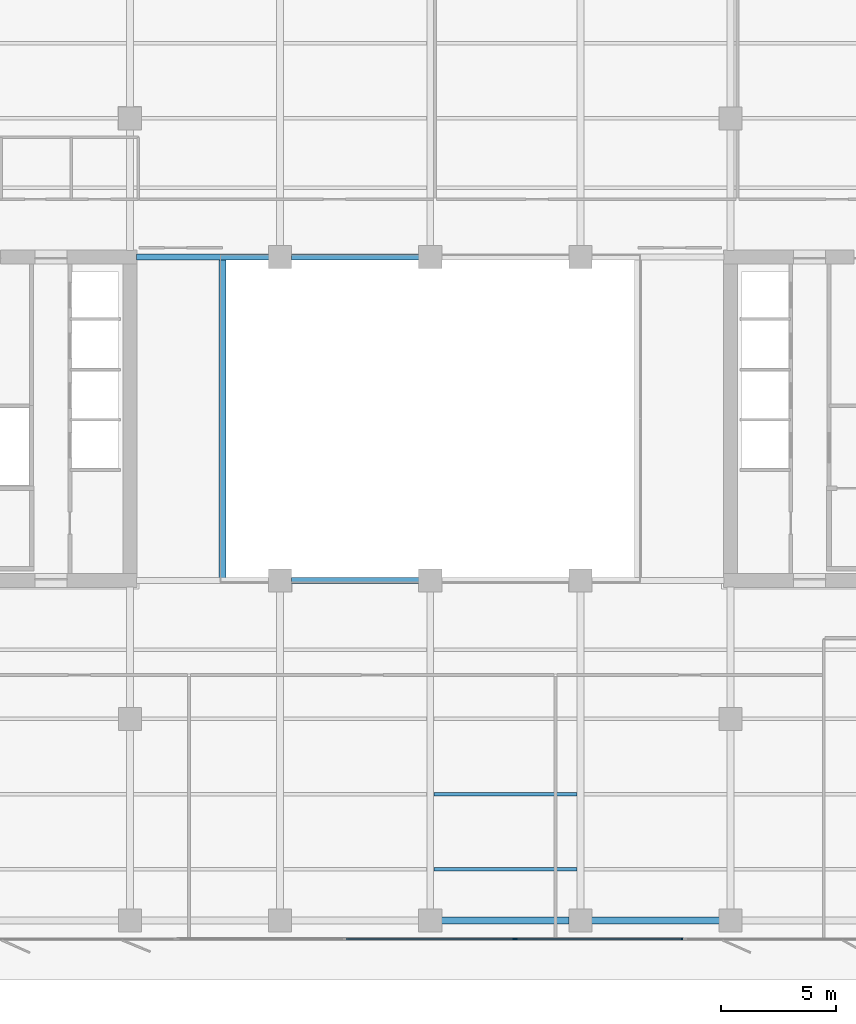
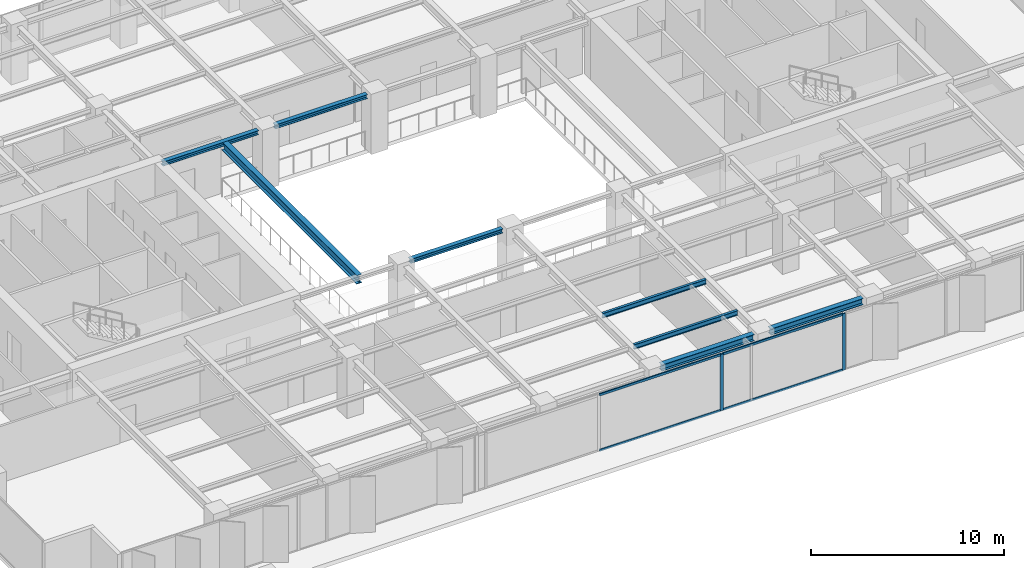
# One storey, part 5 of 22: 8 beams, 6 members, 1 element without a shape of its own.
"""IFC4 building model written with IfcOpenShell, lengths in metres."""

from ifc_helpers import new_model, si_unit, direction, frame, origin, origin_2d, place, context, subcontext, project, spatial, rectangle, i_section, extrude, material, layer, layer_set, material_profile, profile_set, type_object, element, aggregate, save


model = new_model("IFC4")

# Units and contexts
model_context = context("Model", 3, precision=1e-05, world=origin(), true_north=direction((0.0, 1.0)))
body_context = subcontext(model_context, "Body", "Model", "MODEL_VIEW")
ifc_project = project(units=[si_unit("LENGTHUNIT", "METRE"), si_unit("AREAUNIT", "SQUARE_METRE"), si_unit("VOLUMEUNIT", "CUBIC_METRE"), si_unit("PLANEANGLEUNIT", "RADIAN"), si_unit("MASSUNIT", "GRAM", prefix="KILO")], contexts=[model_context])

# Site, building, storey
site_placement = place(None, origin())
site = spatial("IfcSite", under=ifc_project, at=site_placement, CompositionType="ELEMENT")
building_placement = place(site_placement, origin())
building = spatial("IfcBuilding", under=site, at=building_placement, Name="Putna Gate Headquarters", CompositionType="ELEMENT")
storey_placement = place(building_placement, frame((0.0, 0.0, 144.199951171875)))
storey = spatial("IfcBuildingStorey", under=building, at=storey_placement, Name="L35", CompositionType="ELEMENT", Elevation=144.199951171875)

# Beams
ifc_material_1 = material(Name="Steel S355J2", Category="steel")
ifc_material_profile_1 = material_profile(ifc_material_1, i_section(OverallWidth=0.260009765625, OverallDepth=0.260009765625, WebThickness=0.010009765625, FlangeThickness=0.017578125, at=origin_2d()), Name="Steel S355J2")
ifc_profile_set_1 = profile_set([ifc_material_profile_1], Name="Steel S355J2")
beam_type_1 = type_object("IfcBeamType", Name="BM-ATRIUM-HEB260", PredefinedType="BEAM", material=ifc_profile_set_1)
beam_1_placement = place(storey_placement, frame((32.988037109375, 19.0, 3.442138671875), z_axis=(1.0, 0.0, 0.0), x_axis=(0.0, 1.0, 0.0)))
element("IfcBeam", 1, at=beam_1_placement, inside=storey, type_object=beam_type_1, Name="L35 Atrium Edge Beam AS2", PredefinedType="BEAM", context=body_context, shape_type="SweptSolid", body=[
    extrude(i_section(OverallWidth=0.260009765625, OverallDepth=0.260009765625, WebThickness=0.010009765625, FlangeThickness=0.017578125, at=origin_2d()), origin(), (0.0, 0.0, 1.0), 5.52392578125),
])
beam_2_placement = place(storey_placement, frame((26.284912109375, 33.0, 3.442138671875), z_axis=(1.0, 0.0, 0.0), x_axis=(0.0, 1.0, 0.0)))
element("IfcBeam", 2, at=beam_2_placement, inside=storey, type_object=beam_type_1, Name="L35 Atrium Edge Beam AN1", PredefinedType="BEAM", context=body_context, shape_type="SweptSolid", body=[
    extrude(i_section(OverallWidth=0.260009765625, OverallDepth=0.260009765625, WebThickness=0.010009765625, FlangeThickness=0.017578125, at=origin_2d()), origin(), (0.0, 0.0, 1.0), 5.72705078125),
])
beam_3_placement = place(storey_placement, frame((32.988037109375, 33.0, 3.442138671875), z_axis=(1.0, 0.0, 0.0), x_axis=(0.0, 1.0, 0.0)))
element("IfcBeam", 3, at=beam_3_placement, inside=storey, type_object=beam_type_1, Name="L35 Atrium Edge Beam AN2", PredefinedType="BEAM", context=body_context, shape_type="SweptSolid", body=[
    extrude(i_section(OverallWidth=0.260009765625, OverallDepth=0.260009765625, WebThickness=0.010009765625, FlangeThickness=0.017578125, at=origin_2d()), origin(), (0.0, 0.0, 1.0), 5.52392578125),
])
ifc_material_profile_2 = material_profile(ifc_material_1, i_section(OverallWidth=0.300048828125, OverallDepth=0.550048828125, WebThickness=0.014892578125, FlangeThickness=0.029052734375, at=origin_2d()), Name="Steel S355J2")
ifc_profile_set_2 = profile_set([ifc_material_profile_2], Name="Steel S355J2")
beam_type_2 = type_object("IfcBeamType", Name="BM-GIRD-Z3-HEB550", PredefinedType="USERDEFINED", material=ifc_profile_set_2)
beam_4_placement = place(storey_placement, frame((30.0, 19.010009765625, 3.297119140625), z_axis=(0.0, 1.0, 0.0), x_axis=(-1.0, 0.0, 0.0)))
element("IfcBeam", 4, at=beam_4_placement, inside=storey, type_object=beam_type_2, Name="L35 Atrium Trim Girder AW", ObjectType="GIRDER", PredefinedType="USERDEFINED", context=body_context, shape_type="SweptSolid", body=[
    extrude(i_section(OverallWidth=0.300048828125, OverallDepth=0.550048828125, WebThickness=0.014892578125, FlangeThickness=0.029052734375, at=origin_2d()), origin(), (0.0, 0.0, 1.0), 13.97998046875),
])
ifc_material_profile_3 = material_profile(ifc_material_1, i_section(OverallWidth=0.14990234375, OverallDepth=0.300048828125, WebThickness=0.007080078125, FlangeThickness=0.0107421875, at=origin_2d()), Name="Steel S355J2")
ifc_profile_set_3 = profile_set([ifc_material_profile_3], Name="Steel S355J2")
beam_type_3 = type_object("IfcBeamType", Name="BM-SEC-Z3-IPE300", PredefinedType="JOIST", material=ifc_profile_set_3)
for number, where, z_axis, x_axis, name in (
    (5, (39.154052734375, 6.5, 3.422119140625), (1.0, 0.0, 0.0), (0.0, 1.0, 0.0), "L35 South Secondary Beam 5"),
    (6, (39.154052734375, 9.75, 3.422119140625), (1.0, 0.0, 0.0), (0.0, 1.0, 0.0), "L35 South Secondary Beam 5"),
):
    element("IfcBeam", number, at=place(storey_placement, frame(where, z_axis=z_axis, x_axis=x_axis)), inside=storey, type_object=beam_type_3, Name=name, PredefinedType="JOIST", context=body_context, shape_type="SweptSolid", body=[
        extrude(i_section(OverallWidth=0.14990234375, OverallDepth=0.300048828125, WebThickness=0.007080078125, FlangeThickness=0.0107421875, at=origin_2d()), origin(), (0.0, 0.0, 1.0), 6.19189453125),
    ])
ifc_material_profile_4 = material_profile(ifc_material_1, i_section(OverallWidth=0.300048828125, OverallDepth=0.39990234375, WebThickness=0.013427734375, FlangeThickness=0.02392578125, at=origin_2d()), Name="Steel S355J2")
ifc_profile_set_4 = profile_set([ifc_material_profile_4], Name="Steel S355J2")
beam_type_4 = type_object("IfcBeamType", Name="BM-SPAN-Z3-HEB400", PredefinedType="SPANDREL", material=ifc_profile_set_4)
for number, where, z_axis, x_axis, name in (
    (7, (39.488037109375, 4.280029296875, 3.3720703125), (1.0, 0.0, 0.0), (0.0, 1.0, 0.0), "L35 S Perimeter Spandrel 5"),
    (8, (45.988037109375, 4.280029296875, 3.3720703125), (1.0, 0.0, 0.0), (0.0, 1.0, 0.0), "L35 S Perimeter Spandrel 6"),
):
    element("IfcBeam", number, at=place(storey_placement, frame(where, z_axis=z_axis, x_axis=x_axis)), inside=storey, type_object=beam_type_4, Name=name, PredefinedType="SPANDREL", context=body_context, shape_type="SweptSolid", body=[
        extrude(i_section(OverallWidth=0.300048828125, OverallDepth=0.39990234375, WebThickness=0.013427734375, FlangeThickness=0.02392578125, at=origin_2d()), origin(), (0.0, 0.0, 1.0), 5.52392578125),
    ])

# Curtain wall, members
ifc_material_2 = material(Name="Anodised bronze aluminium curtain wall", Category="aluminium")
ifc_layer = layer(ifc_material_2, 0.179931640625)
ifc_layer_set = layer_set([ifc_layer], Name="Anodised bronze aluminium curtain wall")
curtain_wall_type = type_object("IfcCurtainWallType", Name="CW-SYS-ATR", PredefinedType="USERDEFINED", material=ifc_layer_set)
curtain_wall_placement = place(storey_placement, origin())
curtain_wall = element("IfcCurtainWall", 9, at=curtain_wall_placement, inside=storey, type_object=curtain_wall_type, Name="L35 South Atrium Clear Glazing", ObjectType="ATRIUM GLAZING", PredefinedType="USERDEFINED")
ifc_material_3 = material(Name="Anodised bronze aluminium EN AW-6060", Category="aluminium")
ifc_material_profile_5 = material_profile(ifc_material_3, rectangle(XDim=0.070068359375, YDim=0.179931640625, at=origin_2d()), Name="Anodised bronze aluminium EN AW-6060")
ifc_profile_set_5 = profile_set([ifc_material_profile_5], Name="Anodised bronze aluminium EN AW-6060")
member_type_1 = type_object("IfcMemberType", Name="MULL-CWM-AT", PredefinedType="MULLION", material=ifc_profile_set_5)
member_1_placement = place(storey_placement, frame((42.666748046875, 3.47998046875, 0.0), z_axis=(0.0, 0.0, 1.0), x_axis=(0.0, 1.0, 0.0)))
member_1 = element("IfcMember", 10, at=member_1_placement, type_object=member_type_1, Name="CWS-AT mullion 3", PredefinedType="MULLION", context=body_context, shape_type="SweptSolid", body=[
    extrude(rectangle(XDim=0.070068359375, YDim=0.179931640625, at=origin_2d()), origin(), (0.0, 0.0, 1.0), 3.572021484375),
])
member_2_placement = place(storey_placement, frame((49.965087890625, 3.47998046875, 0.0), z_axis=(0.0, 0.0, 1.0), x_axis=(0.0, 1.0, 0.0)))
member_2 = element("IfcMember", 11, at=member_2_placement, type_object=member_type_1, Name="CWS-AT mullion 4", PredefinedType="MULLION", context=body_context, shape_type="SweptSolid", body=[
    extrude(rectangle(XDim=0.070068359375, YDim=0.179931640625, at=origin_2d()), origin(), (0.0, 0.0, 1.0), 3.572021484375),
])
ifc_material_profile_6 = material_profile(ifc_material_3, rectangle(XDim=0.070068359375, YDim=0.139892578125, at=origin_2d()), Name="Anodised bronze aluminium EN AW-6060")
ifc_profile_set_6 = profile_set([ifc_material_profile_6], Name="Anodised bronze aluminium EN AW-6060")
member_type_2 = type_object("IfcMemberType", Name="TRAN-CWT-AT", PredefinedType="USERDEFINED", material=ifc_profile_set_6)
member_3_placement = place(storey_placement, frame((35.368408203125, 3.47998046875, 0.03515625), z_axis=(1.0, 0.0, 0.0), x_axis=(0.0, 1.0, 0.0)))
member_3 = element("IfcMember", 12, at=member_3_placement, type_object=member_type_2, Name="CWS-AT transom 2.1", ObjectType="TRANSOM", PredefinedType="USERDEFINED", context=body_context, shape_type="SweptSolid", body=[
    extrude(rectangle(XDim=0.070068359375, YDim=0.139892578125, at=origin_2d()), origin(), (0.0, 0.0, 1.0), 7.26318359375),
])
member_4_placement = place(storey_placement, frame((35.368408203125, 3.47998046875, 3.537109375), z_axis=(1.0, 0.0, 0.0), x_axis=(0.0, 1.0, 0.0)))
member_4 = element("IfcMember", 13, at=member_4_placement, type_object=member_type_2, Name="CWS-AT transom 2.2", ObjectType="TRANSOM", PredefinedType="USERDEFINED", context=body_context, shape_type="SweptSolid", body=[
    extrude(rectangle(XDim=0.070068359375, YDim=0.139892578125, at=origin_2d()), origin(), (0.0, 0.0, 1.0), 7.26318359375),
])
member_5_placement = place(storey_placement, frame((42.70166015625, 3.47998046875, 0.03515625), z_axis=(1.0, 0.0, 0.0), x_axis=(0.0, 1.0, 0.0)))
member_5 = element("IfcMember", 14, at=member_5_placement, type_object=member_type_2, Name="CWS-AT transom 3.1", ObjectType="TRANSOM", PredefinedType="USERDEFINED", context=body_context, shape_type="SweptSolid", body=[
    extrude(rectangle(XDim=0.070068359375, YDim=0.139892578125, at=origin_2d()), origin(), (0.0, 0.0, 1.0), 7.228271484375),
])
member_6_placement = place(storey_placement, frame((42.70166015625, 3.47998046875, 3.537109375), z_axis=(1.0, 0.0, 0.0), x_axis=(0.0, 1.0, 0.0)))
member_6 = element("IfcMember", 15, at=member_6_placement, type_object=member_type_2, Name="CWS-AT transom 3.2", ObjectType="TRANSOM", PredefinedType="USERDEFINED", context=body_context, shape_type="SweptSolid", body=[
    extrude(rectangle(XDim=0.070068359375, YDim=0.139892578125, at=origin_2d()), origin(), (0.0, 0.0, 1.0), 7.228271484375),
])
aggregate(curtain_wall, [member_1, member_2, member_3, member_4, member_5, member_6])

save(model, "model.ifc")
